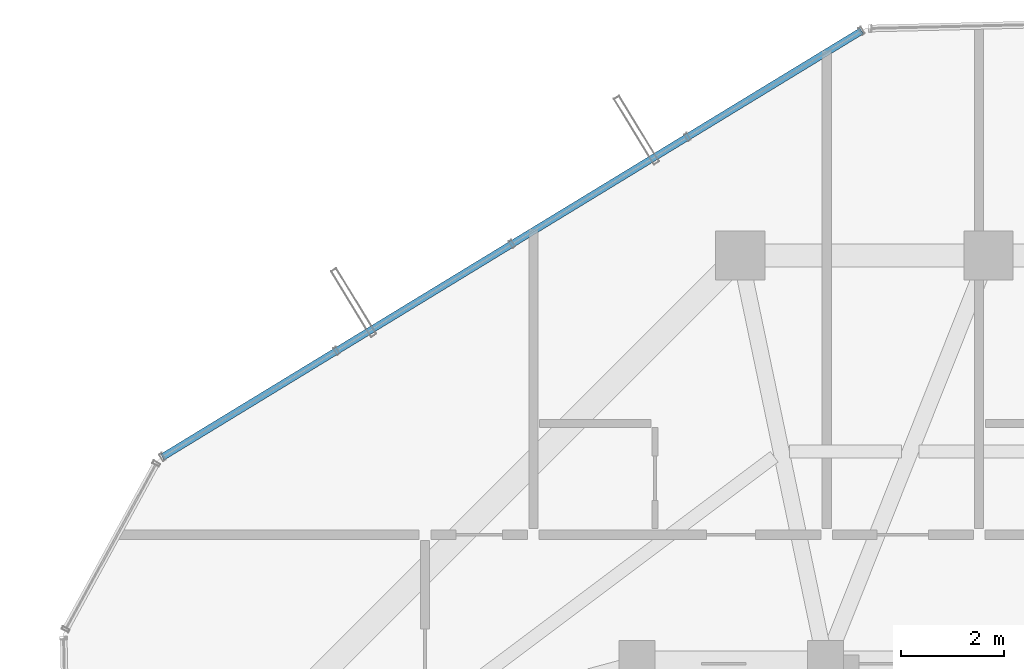
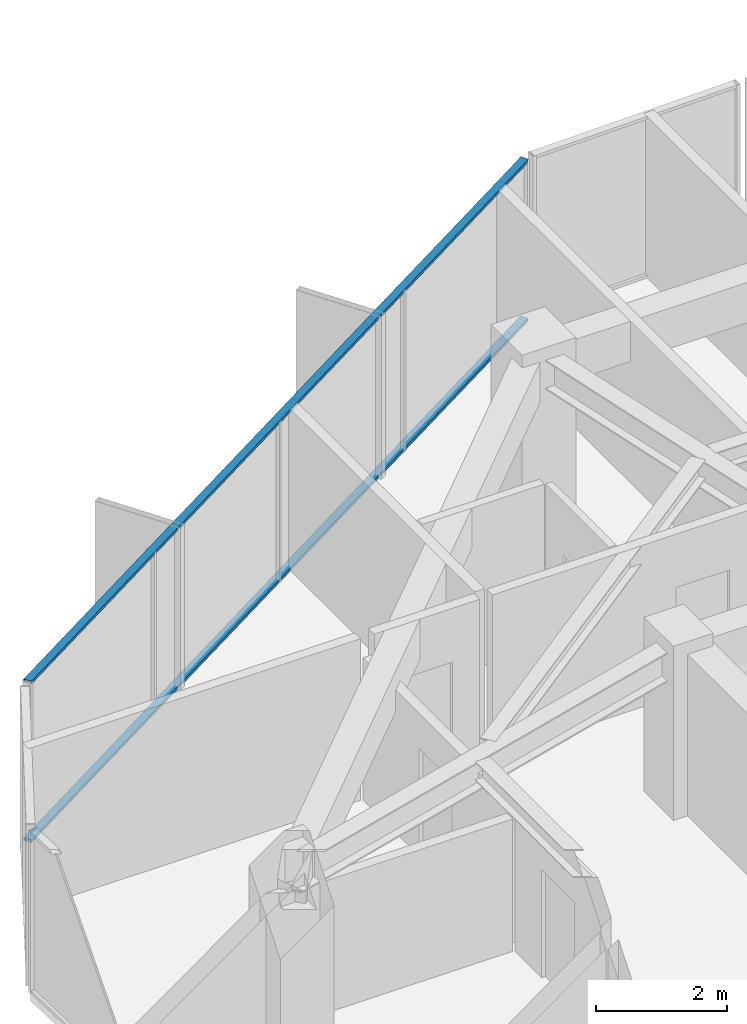
# One storey, part 22 of 32: 2 members, 1 element without a shape of its own.
"""IFC4 building model written with IfcOpenShell, lengths in metres."""

from ifc_helpers import new_model, si_unit, direction, frame, origin, origin_2d, place, context, subcontext, project, spatial, hollow_rectangle, extrude, source, transform, mapped, material, layer, layer_set, material_profile, profile_set, type_object, element, aggregate, save


model = new_model("IFC4")

# Units and contexts
model_context = context("Model", 3, precision=1e-05, world=origin(), true_north=direction((0.0, 1.0)))
body_context = subcontext(model_context, "Body", "Model", "MODEL_VIEW")
ifc_project = project(units=[si_unit("LENGTHUNIT", "METRE"), si_unit("AREAUNIT", "SQUARE_METRE"), si_unit("VOLUMEUNIT", "CUBIC_METRE"), si_unit("PLANEANGLEUNIT", "RADIAN"), si_unit("MASSUNIT", "GRAM", prefix="KILO")], contexts=[model_context])

# Site, building, storey
site_placement = place(None, origin())
site = spatial("IfcSite", under=ifc_project, at=site_placement, CompositionType="ELEMENT")
building_placement = place(site_placement, origin())
building = spatial("IfcBuilding", under=site, at=building_placement, Name="Veraguas Prism Commons", CompositionType="ELEMENT")
storey_placement = place(building_placement, frame((0.0, 0.0, 201.60009765625)))
storey = spatial("IfcBuildingStorey", under=building, at=storey_placement, Name="L57", CompositionType="ELEMENT", Elevation=201.60009765625)

# Curtain wall, members
ifc_material = material(Name="Anodised aluminium EN AW-6063 T6", Category="aluminium")
ifc_layer = layer(ifc_material, 0.14990234375, Name="Unitised Flush Curtain Wall Zone 3", Category="aluminium")
ifc_layer_set = layer_set([ifc_layer], Name="Anodised aluminium EN AW-6063 T6")
curtain_wall_type = type_object("IfcCurtainWallType", Name="Unitised Flush Curtain Wall Zone 3", PredefinedType="NOTDEFINED", material=ifc_layer_set)
curtain_wall_placement = place(storey_placement, origin())
curtain_wall = element("IfcCurtainWall", 1, at=curtain_wall_placement, inside=storey, type_object=curtain_wall_type, Name="Tower Facade Curtain Wall L57-F2", PredefinedType="NOTDEFINED")
ifc_material_profile = material_profile(ifc_material, hollow_rectangle(XDim=0.054931640625, YDim=0.135009765625, WallThickness=0.0029296875, at=origin_2d()), Name="AL55X135X3")
ifc_profile_set = profile_set([ifc_material_profile], Name="Anodised aluminium EN AW-6063 T6")
member_type = type_object("IfcMemberType", Name="Curtain Wall Transom Standard AL 55x135x3", PredefinedType="USERDEFINED", material=ifc_profile_set)
shared_shape = source(origin(), body_context, "Body", "SweptSolid", [
    extrude(hollow_rectangle(XDim=0.054931640625, YDim=0.135009765625, WallThickness=0.0029296875, at=origin_2d()), origin(), (0.0, 0.0, 1.0), 15.842529296875),
])
member_1_placement = place(storey_placement, frame((21.54736328125, 43.245361328125, 0.02734375), z_axis=(-0.853913938387, -0.520414244452, 0.0), x_axis=(0.0, 0.0, 1.0)))
member_1 = element("IfcMember", 2, at=member_1_placement, type_object=member_type, Name="CW-Z3 Transom 1", ObjectType="TRANSOM", PredefinedType="USERDEFINED", context=body_context, shape_type="MappedRepresentation", body=[
    mapped(shared_shape, transform((0.0, 0.0, 0.0), scale=1.0)),
])
member_2_placement = place(storey_placement, frame((21.54736328125, 43.245361328125, 2.9873046875), z_axis=(-0.853913938387, -0.520414244452, 0.0), x_axis=(0.0, 0.0, 1.0)))
member_2 = element("IfcMember", 3, at=member_2_placement, type_object=member_type, Name="CW-Z3 Transom 2", ObjectType="TRANSOM", PredefinedType="USERDEFINED", context=body_context, shape_type="MappedRepresentation", body=[
    mapped(shared_shape, transform((0.0, 0.0, 0.0), scale=1.0)),
])
aggregate(curtain_wall, [member_1, member_2])

save(model, "model.ifc")
